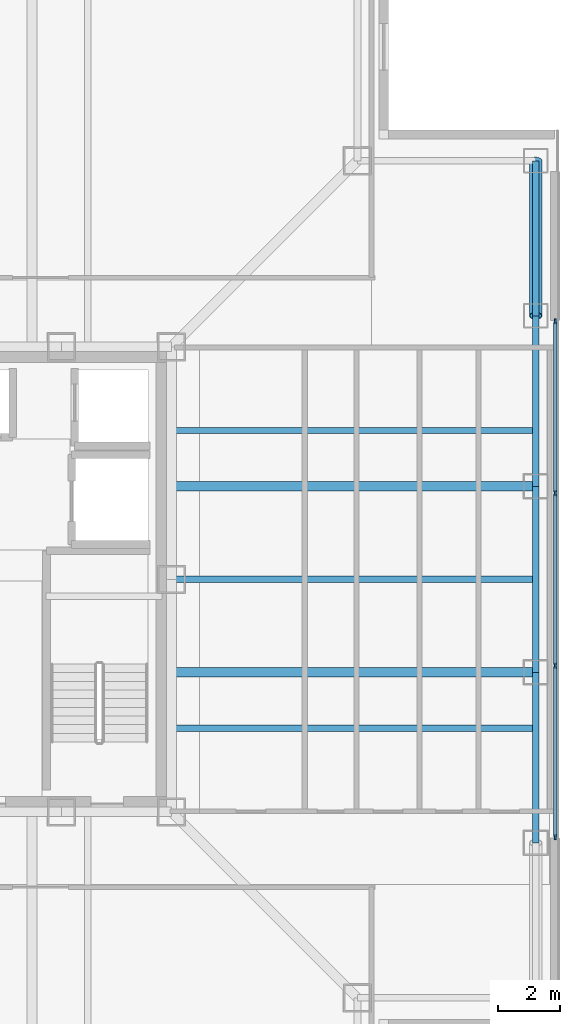
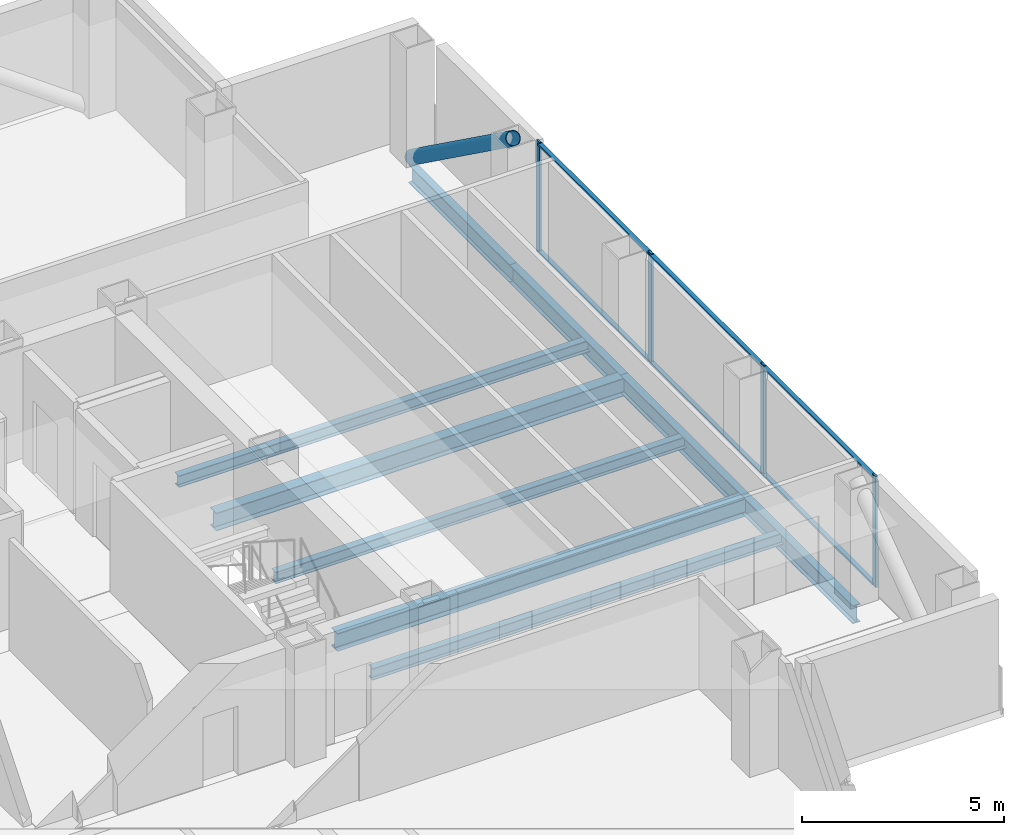
# One storey, part 6 of 16: 11 members, 9 beams, 1 element without a shape of its own.
"""IFC4 building model written with IfcOpenShell, lengths in metres."""

import ifcopenshell
import ifcopenshell.guid

model = None  # the IFC model being written
_history = None  # IfcOwnerHistory: only IFC2X3 demands one
_inside = {}  # id of a spatial element -> (the spatial element, [elements in it])
_under = {}  # id of a project, library or spatial element -> (it, [spatial elements below it])
_declared = {}  # id of a project -> (the project, [libraries it declares])
_typed = {}  # id of a type object -> (the type object, [elements of that type])
_made_of = {}  # id of a material, layer set ... -> (it, [elements and type objects made of it])


def new_model(schema):
    """Start an empty IFC model of exactly this schema.

    Asked for "IFC4X3", IfcOpenShell would pick the latest addendum, in which some entities
    have other attributes; the version numbers below select the first issue.
    IFC2X3 requires an IfcOwnerHistory on every rooted entity: one is made here for all.
    """
    global model, _history
    if schema == "IFC4X3":
        model = ifcopenshell.file(schema_version=(4, 3, 0, 0))
    else:
        model = ifcopenshell.file(schema=schema)
    _inside.clear()
    _under.clear()
    _declared.clear()
    _typed.clear()
    _made_of.clear()
    _history = None
    if model.schema == "IFC2X3":
        org = make("IfcOrganization", Name="unknown")
        user = make(
            "IfcPersonAndOrganization",
            ThePerson=make("IfcPerson", FamilyName="unknown"),
            TheOrganization=org,
        )
        app = make(
            "IfcApplication",
            ApplicationDeveloper=org,
            Version="unknown",
            ApplicationFullName="unknown",
            ApplicationIdentifier="unknown",
        )
        _history = make(
            "IfcOwnerHistory",
            OwningUser=user,
            OwningApplication=app,
            ChangeAction="ADDED",
            CreationDate=0,
        )
    return model


def make(cls, **values):
    """One entity of the class cls with the attributes given. An attribute that is None is left unset."""
    return model.create_entity(
        cls, **{name: value for name, value in values.items() if value is not None}
    )


def rooted(cls, **values):
    """An entity with a GlobalId (a new one), such as an element, a storey or a relation."""
    return make(cls, GlobalId=ifcopenshell.guid.new(), OwnerHistory=_history, **values)


def si_unit(unit_type, name, prefix=None):
    """IfcSIUnit, for example si_unit("LENGTHUNIT", "METRE", prefix="MILLI")."""
    return make("IfcSIUnit", UnitType=unit_type, Prefix=prefix, Name=name)


def assignment(units):
    """IfcUnitAssignment: the units of a project."""
    return None if units is None else make("IfcUnitAssignment", Units=units)


def point(xyz):
    """IfcCartesianPoint."""
    return None if xyz is None else make("IfcCartesianPoint", Coordinates=xyz)


def direction(xyz):
    """IfcDirection."""
    return None if xyz is None else make("IfcDirection", DirectionRatios=xyz)


def frame(location, z_axis=None, x_axis=None):
    """IfcAxis2Placement3D, a coordinate frame: its origin and axes. An axis left out is left unset."""
    return make(
        "IfcAxis2Placement3D",
        Location=point(location),
        Axis=direction(z_axis),
        RefDirection=direction(x_axis),
    )


def frame_2d(location, x_axis=None):
    """IfcAxis2Placement2D, a coordinate frame in the plane: its origin and x axis."""
    return make(
        "IfcAxis2Placement2D", Location=point(location), RefDirection=direction(x_axis)
    )


def origin():
    """The frame at (0, 0, 0) with its axes left unset."""
    return frame((0.0, 0.0, 0.0))


def origin_2d():
    """The frame at (0, 0) in the plane with its x axis left unset."""
    return frame_2d((0.0, 0.0))


def place(relative_to, where):
    """IfcLocalPlacement: puts the frame where relative to a parent placement (None: the world)."""
    return make(
        "IfcLocalPlacement", PlacementRelTo=relative_to, RelativePlacement=where
    )


def context(
    kind, dimensions, precision=None, world=None, true_north=None, identifier=None
):
    """IfcGeometricRepresentationContext, for example the 3D "Model" context."""
    return make(
        "IfcGeometricRepresentationContext",
        ContextIdentifier=identifier,
        ContextType=kind,
        CoordinateSpaceDimension=dimensions,
        Precision=precision,
        WorldCoordinateSystem=world,
        TrueNorth=true_north,
    )


def subcontext(parent, identifier, kind, view, scale=None):
    """IfcGeometricRepresentationSubContext, for example "Body" below "Model"."""
    return make(
        "IfcGeometricRepresentationSubContext",
        ContextIdentifier=identifier,
        ContextType=kind,
        ParentContext=parent,
        TargetScale=scale,
        TargetView=view,
    )


def project(units=None, contexts=None):
    """IfcProject with its units and contexts."""
    return rooted(
        "IfcProject",
        Name="project",
        RepresentationContexts=contexts,
        UnitsInContext=assignment(units),
    )


def spatial(cls, under=None, at=None, **own):
    """A site, building, storey or space (cls), placed at a placement, below another one or the project."""
    s = rooted(cls, ObjectPlacement=at, **own)
    if under is not None:
        _under.setdefault(under.id(), (under, []))[1].append(s)
    return s


def profile(cls, at=None, kind="AREA", **sizes):
    """A parametric profile (cls). Its sizes go by their IFC names, for example OverallWidth=200.0."""
    return make(cls, ProfileType=kind, Position=at, **sizes)


def rectangle(**sizes):
    """IfcRectangleProfileDef."""
    return profile("IfcRectangleProfileDef", **sizes)


def hollow_circle(**sizes):
    """IfcCircleHollowProfileDef."""
    return profile("IfcCircleHollowProfileDef", **sizes)


def i_section(**sizes):
    """IfcIShapeProfileDef."""
    return profile("IfcIShapeProfileDef", **sizes)


def extrude(swept, where, along, depth):
    """IfcExtrudedAreaSolid: the profile swept, set in the frame where, extruded along a direction by depth."""
    return make(
        "IfcExtrudedAreaSolid",
        SweptArea=swept,
        Position=where,
        ExtrudedDirection=direction(along),
        Depth=depth,
    )


def shape(context_of_items, identifier, shape_type, items):
    """IfcShapeRepresentation: the items that make up one representation, for example the "Body"."""
    return make(
        "IfcShapeRepresentation",
        ContextOfItems=context_of_items,
        RepresentationIdentifier=identifier,
        RepresentationType=shape_type,
        Items=items,
    )


def material(Name=None, Category=None):
    """IfcMaterial."""
    return make("IfcMaterial", Name=Name, Category=Category)


def layer(
    of_material, thickness, ventilated=None, Name=None, Category=None, Priority=None
):
    """IfcMaterialLayer: one layer of a wall or slab, of a material (None: an air gap)."""
    return make(
        "IfcMaterialLayer",
        Material=of_material,
        LayerThickness=thickness,
        IsVentilated=ventilated,
        Name=Name,
        Category=Category,
        Priority=Priority,
    )


def layer_set(layers, Name=None):
    """IfcMaterialLayerSet."""
    return make("IfcMaterialLayerSet", MaterialLayers=layers, LayerSetName=Name)


def material_profile(
    of_material, cross_section, Name=None, Category=None, Priority=None
):
    """IfcMaterialProfile: a cross section and its material."""
    return make(
        "IfcMaterialProfile",
        Name=Name,
        Material=of_material,
        Profile=cross_section,
        Priority=Priority,
        Category=Category,
    )


def profile_set(profiles, Name=None, composite=None):
    """IfcMaterialProfileSet."""
    return make(
        "IfcMaterialProfileSet",
        Name=Name,
        MaterialProfiles=profiles,
        CompositeProfile=composite,
    )


def made_of(thing, what):
    """Note that an element or type object is made of a material, layer set ...; save() writes the relation."""
    if what is not None:
        _made_of.setdefault(what.id(), (what, []))[1].append(thing)
    return thing


def type_object(cls, material=None, **own):
    """A type object (cls), such as IfcWallType, which elements share."""
    return made_of(rooted(cls, **own), material)


def element(
    cls,
    number,
    at=None,
    inside=None,
    cuts=None,
    type_object=None,
    material=None,
    context=None,
    identifier="Body",
    shape_type=None,
    held_by="IfcProductDefinitionShape",
    body=None,
    shapes=None,
    **own,
):
    """One element of the class cls, such as IfcWall. Its Tag is "e" and its number.

    at: its placement. inside: the storey or other place that contains it. cuts: it is an
    opening in that element (IfcRelVoidsElement). A single representation is given by context,
    identifier, shape_type and body (its items); several are given by shapes. held_by: the class
    of the entity that holds the representations. save() writes the other relations.
    """
    e = rooted(cls, Tag="e%d" % number, ObjectPlacement=at, **own)
    if body is not None:
        shapes = [shape(context, identifier, shape_type, body)]
    if shapes is not None:
        e.Representation = make(held_by, Representations=shapes)
    if inside is not None:
        _inside.setdefault(inside.id(), (inside, []))[1].append(e)
    if cuts is not None:
        rooted(
            "IfcRelVoidsElement", RelatingBuildingElement=cuts, RelatedOpeningElement=e
        )
    if type_object is not None:
        _typed.setdefault(type_object.id(), (type_object, []))[1].append(e)
    return made_of(e, material)


def aggregate(whole, parts):
    """IfcRelAggregates: a whole, such as a stair, and the parts it consists of."""
    return rooted("IfcRelAggregates", RelatingObject=whole, RelatedObjects=parts)


def save(model, path):
    """Write the relations noted so far, then the file.

    IfcRelAggregates (storeys below a building ...), IfcRelContainedInSpatialStructure (elements
    in a storey), IfcRelDefinesByType, IfcRelAssociatesMaterial and IfcRelDeclares: one each for
    every whole, place, type object, material and project.
    """
    for whole, parts in _under.values():
        aggregate(whole, parts)
    for where, things in _inside.values():
        rooted(
            "IfcRelContainedInSpatialStructure",
            RelatedElements=things,
            RelatingStructure=where,
        )
    for kind, things in _typed.values():
        rooted("IfcRelDefinesByType", RelatedObjects=things, RelatingType=kind)
    for what, things in _made_of.values():
        rooted("IfcRelAssociatesMaterial", RelatedObjects=things, RelatingMaterial=what)
    for by, libraries in _declared.values():
        rooted("IfcRelDeclares", RelatingContext=by, RelatedDefinitions=libraries)
    model.write(path)


model = new_model("IFC4")

# Units and contexts
model_context = context("Model", 3, precision=1e-05, world=origin(), true_north=direction((0.0, 1.0)))
body_context = subcontext(model_context, "Body", "Model", "MODEL_VIEW")
ifc_project = project(units=[si_unit("LENGTHUNIT", "METRE"), si_unit("AREAUNIT", "SQUARE_METRE"), si_unit("VOLUMEUNIT", "CUBIC_METRE"), si_unit("PLANEANGLEUNIT", "RADIAN"), si_unit("MASSUNIT", "GRAM", prefix="KILO")], contexts=[model_context])

# Site, building, storey
site_placement = place(None, origin())
site = spatial("IfcSite", under=ifc_project, at=site_placement, CompositionType="ELEMENT")
building_placement = place(site_placement, origin())
building = spatial("IfcBuilding", under=site, at=building_placement, Name="Trevonay Congress Spire", CompositionType="ELEMENT")
storey_placement = place(building_placement, frame((0.0, 0.0, 202.199951171875)))
storey = spatial("IfcBuildingStorey", under=building, at=storey_placement, Name="L52", CompositionType="ELEMENT", Elevation=202.199951171875)

# Beams
ifc_material_1 = material(Name="Steel ASTM A572 Grade 50", Category="steel")
ifc_material_profile_1 = material_profile(ifc_material_1, i_section(OverallWidth=0.31201171875, OverallDepth=0.54296875, WebThickness=0.0126953125, FlangeThickness=0.020263671875, FilletRadius=0.014892578125, at=origin_2d()), Name="W530x150")
ifc_profile_set_1 = profile_set([ifc_material_profile_1], Name="Steel ASTM A572 Grade 50")
beam_type_1 = type_object("IfcBeamType", Name="BM-GIRD-W530X150", PredefinedType="BEAM", material=ifc_profile_set_1)
for number, where, z_axis, x_axis, name in (
    (1, (7.5, -3.0, -0.511474609375), (1.0, 0.0, 0.0), (0.0, 1.0, 0.0), "L52 structural beam BM-L52-GE-M"),
    (2, (7.5, 3.0, -0.511474609375), (1.0, 0.0, 0.0), (0.0, 1.0, 0.0), "L52 structural beam BM-L52-GE-P"),
):
    element("IfcBeam", number, at=place(storey_placement, frame(where, z_axis=z_axis, x_axis=x_axis)), inside=storey, type_object=beam_type_1, Name=name, PredefinedType="BEAM", context=body_context, shape_type="SweptSolid", body=[
        extrude(i_section(OverallWidth=0.31201171875, OverallDepth=0.54296875, WebThickness=0.0126953125, FlangeThickness=0.020263671875, FilletRadius=0.014892578125, at=origin_2d()), origin(), (0.0, 0.0, 1.0), 11.75),
    ])
ifc_material_profile_2 = material_profile(ifc_material_1, i_section(OverallWidth=0.2119140625, OverallDepth=0.5439453125, WebThickness=0.01318359375, FlangeThickness=0.021240234375, FilletRadius=0.014892578125, at=origin_2d()), Name="W530x123")
ifc_profile_set_2 = profile_set([ifc_material_profile_2], Name="Steel ASTM A572 Grade 50")
beam_type_2 = type_object("IfcBeamType", Name="BM-RING-W530X123", PredefinedType="BEAM", material=ifc_profile_set_2)
beam_1_placement = place(storey_placement, frame((19.25, -8.5, -0.511962890625), z_axis=(0.0, 1.0, 0.0), x_axis=(-1.0, 0.0, 0.0)))
element("IfcBeam", 3, at=beam_1_placement, inside=storey, type_object=beam_type_2, Name="L52 structural beam BM-L52-PE2", PredefinedType="BEAM", context=body_context, shape_type="SweptSolid", body=[
    extrude(i_section(OverallWidth=0.2119140625, OverallDepth=0.5439453125, WebThickness=0.01318359375, FlangeThickness=0.021240234375, FilletRadius=0.014892578125, at=origin_2d()), origin(), (0.0, 0.0, 1.0), 5.5),
])
beam_2_placement = place(storey_placement, frame((19.25, -3.0, -0.511962890625), z_axis=(0.0, 1.0, 0.0), x_axis=(-1.0, 0.0, 0.0)))
element("IfcBeam", 4, at=beam_2_placement, inside=storey, type_object=beam_type_2, Name="L52 structural beam BM-L52-PE3", PredefinedType="BEAM", context=body_context, shape_type="SweptSolid", body=[
    extrude(i_section(OverallWidth=0.2119140625, OverallDepth=0.5439453125, WebThickness=0.01318359375, FlangeThickness=0.021240234375, FilletRadius=0.014892578125, at=origin_2d()), origin(), (0.0, 0.0, 1.0), 6.0),
])
beam_3_placement = place(storey_placement, frame((19.25, 3.0, -0.511962890625), z_axis=(0.0, 1.0, 0.0), x_axis=(-1.0, 0.0, 0.0)))
element("IfcBeam", 5, at=beam_3_placement, inside=storey, type_object=beam_type_2, Name="L52 structural beam BM-L52-PE4", PredefinedType="BEAM", context=body_context, shape_type="SweptSolid", body=[
    extrude(i_section(OverallWidth=0.2119140625, OverallDepth=0.5439453125, WebThickness=0.01318359375, FlangeThickness=0.021240234375, FilletRadius=0.014892578125, at=origin_2d()), origin(), (0.0, 0.0, 1.0), 5.5),
])
beam_4_placement = place(storey_placement, frame((19.25, 8.5, -0.511962890625), z_axis=(0.0, 1.0, 0.0), x_axis=(-1.0, 0.0, 0.0)))
element("IfcBeam", 6, at=beam_4_placement, inside=storey, type_object=beam_type_2, Name="L52 structural beam BM-L52-PE5", PredefinedType="BEAM", context=body_context, shape_type="SweptSolid", body=[
    extrude(i_section(OverallWidth=0.2119140625, OverallDepth=0.5439453125, WebThickness=0.01318359375, FlangeThickness=0.021240234375, FilletRadius=0.014892578125, at=origin_2d()), origin(), (0.0, 0.0, 1.0), 5.0),
])

# Curtain wall, members
ifc_material_2 = material(Name="Pale Anodised Aluminium EN AW-6063-T6", Category="aluminium")
ifc_layer = layer(ifc_material_2, 0.169921875, Name="Pale Anodised Aluminium EN AW-6063-T6")
ifc_layer_set = layer_set([ifc_layer], Name="Pale Anodised Aluminium EN AW-6063-T6")
curtain_wall_type = type_object("IfcCurtainWallType", Name="CW-SYS04-CORP-PALE-METAL", PredefinedType="NOTDEFINED", material=ifc_layer_set)
curtain_wall_placement = place(storey_placement, origin())
curtain_wall = element("IfcCurtainWall", 7, at=curtain_wall_placement, inside=storey, type_object=curtain_wall_type, Name="L52 E unitised curtain wall", PredefinedType="NOTDEFINED")
ifc_material_profile_3 = material_profile(ifc_material_2, rectangle(XDim=0.06005859375, YDim=0.159912109375, at=origin_2d()), Name="CW-MULLION-160-ALUMINIUM")
ifc_profile_set_3 = profile_set([ifc_material_profile_3], Name="Pale Anodised Aluminium EN AW-6063-T6")
member_type_1 = type_object("IfcMemberType", Name="CW-MULLION-160-ALUMINIUM", PredefinedType="MULLION", material=ifc_profile_set_3)
member_1_placement = place(storey_placement, frame((19.8798828125, -8.320068359375, 0.0), z_axis=(0.0, 0.0, 1.0), x_axis=(-1.0, 0.0, 0.0)))
member_1 = element("IfcMember", 8, at=member_1_placement, type_object=member_type_1, Name="CW04 mullion 1", PredefinedType="MULLION", context=body_context, shape_type="SweptSolid", body=[
    extrude(rectangle(XDim=0.06005859375, YDim=0.159912109375, at=origin_2d()), origin(), (0.0, 0.0, 1.0), 3.360107421875),
])
member_2_placement = place(storey_placement, frame((19.8798828125, -2.783447265625, 0.0), z_axis=(0.0, 0.0, 1.0), x_axis=(-1.0, 0.0, 0.0)))
member_2 = element("IfcMember", 9, at=member_2_placement, type_object=member_type_1, Name="CW04 mullion 2", PredefinedType="MULLION", context=body_context, shape_type="SweptSolid", body=[
    extrude(rectangle(XDim=0.06005859375, YDim=0.159912109375, at=origin_2d()), origin(), (0.0, 0.0, 1.0), 3.360107421875),
])
member_3_placement = place(storey_placement, frame((19.8798828125, 2.783447265625, 0.0), z_axis=(0.0, 0.0, 1.0), x_axis=(-1.0, 0.0, 0.0)))
member_3 = element("IfcMember", 10, at=member_3_placement, type_object=member_type_1, Name="CW04 mullion 3", PredefinedType="MULLION", context=body_context, shape_type="SweptSolid", body=[
    extrude(rectangle(XDim=0.06005859375, YDim=0.159912109375, at=origin_2d()), origin(), (0.0, 0.0, 1.0), 3.360107421875),
])
member_4_placement = place(storey_placement, frame((19.8798828125, 8.320068359375, 0.0), z_axis=(0.0, 0.0, 1.0), x_axis=(-1.0, 0.0, 0.0)))
member_4 = element("IfcMember", 11, at=member_4_placement, type_object=member_type_1, Name="CW04 mullion 4", PredefinedType="MULLION", context=body_context, shape_type="SweptSolid", body=[
    extrude(rectangle(XDim=0.06005859375, YDim=0.159912109375, at=origin_2d()), origin(), (0.0, 0.0, 1.0), 3.360107421875),
])
ifc_material_profile_4 = material_profile(ifc_material_2, rectangle(XDim=0.1201171875, YDim=0.06005859375, at=origin_2d()), Name="CW-TRANSOM-120-ALUMINIUM")
ifc_profile_set_4 = profile_set([ifc_material_profile_4], Name="Pale Anodised Aluminium EN AW-6063-T6")
member_type_2 = type_object("IfcMemberType", Name="CW-TRANSOM-120-ALUMINIUM", PredefinedType="USERDEFINED", material=ifc_profile_set_4)
member_5_placement = place(storey_placement, frame((19.8798828125, -8.2900390625, 0.06005859375), z_axis=(0.0, 1.0, 0.0), x_axis=(-1.0, 0.0, 0.0)))
member_5 = element("IfcMember", 12, at=member_5_placement, type_object=member_type_2, Name="CW04 transom 1.1", ObjectType="TRANSOM", PredefinedType="USERDEFINED", context=body_context, shape_type="SweptSolid", body=[
    extrude(rectangle(XDim=0.1201171875, YDim=0.06005859375, at=origin_2d()), origin(), (0.0, 0.0, 1.0), 5.476806640625),
])
member_6_placement = place(storey_placement, frame((19.8798828125, -8.2900390625, 3.300048828125), z_axis=(0.0, 1.0, 0.0), x_axis=(-1.0, 0.0, 0.0)))
member_6 = element("IfcMember", 13, at=member_6_placement, type_object=member_type_2, Name="CW04 transom 1.2", ObjectType="TRANSOM", PredefinedType="USERDEFINED", context=body_context, shape_type="SweptSolid", body=[
    extrude(rectangle(XDim=0.1201171875, YDim=0.06005859375, at=origin_2d()), origin(), (0.0, 0.0, 1.0), 5.476806640625),
])
member_7_placement = place(storey_placement, frame((19.8798828125, -2.75341796875, 0.06005859375), z_axis=(0.0, 1.0, 0.0), x_axis=(-1.0, 0.0, 0.0)))
member_7 = element("IfcMember", 14, at=member_7_placement, type_object=member_type_2, Name="CW04 transom 2.1", ObjectType="TRANSOM", PredefinedType="USERDEFINED", context=body_context, shape_type="SweptSolid", body=[
    extrude(rectangle(XDim=0.1201171875, YDim=0.06005859375, at=origin_2d()), origin(), (0.0, 0.0, 1.0), 5.5068359375),
])
member_8_placement = place(storey_placement, frame((19.8798828125, -2.75341796875, 3.300048828125), z_axis=(0.0, 1.0, 0.0), x_axis=(-1.0, 0.0, 0.0)))
member_8 = element("IfcMember", 15, at=member_8_placement, type_object=member_type_2, Name="CW04 transom 2.2", ObjectType="TRANSOM", PredefinedType="USERDEFINED", context=body_context, shape_type="SweptSolid", body=[
    extrude(rectangle(XDim=0.1201171875, YDim=0.06005859375, at=origin_2d()), origin(), (0.0, 0.0, 1.0), 5.5068359375),
])
member_9_placement = place(storey_placement, frame((19.8798828125, 2.813232421875, 0.06005859375), z_axis=(0.0, 1.0, 0.0), x_axis=(-1.0, 0.0, 0.0)))
member_9 = element("IfcMember", 16, at=member_9_placement, type_object=member_type_2, Name="CW04 transom 3.1", ObjectType="TRANSOM", PredefinedType="USERDEFINED", context=body_context, shape_type="SweptSolid", body=[
    extrude(rectangle(XDim=0.1201171875, YDim=0.06005859375, at=origin_2d()), origin(), (0.0, 0.0, 1.0), 5.476806640625),
])
member_10_placement = place(storey_placement, frame((19.8798828125, 2.813232421875, 3.300048828125), z_axis=(0.0, 1.0, 0.0), x_axis=(-1.0, 0.0, 0.0)))
member_10 = element("IfcMember", 17, at=member_10_placement, type_object=member_type_2, Name="CW04 transom 3.2", ObjectType="TRANSOM", PredefinedType="USERDEFINED", context=body_context, shape_type="SweptSolid", body=[
    extrude(rectangle(XDim=0.1201171875, YDim=0.06005859375, at=origin_2d()), origin(), (0.0, 0.0, 1.0), 5.476806640625),
])
aggregate(curtain_wall, [member_1, member_2, member_3, member_4, member_5, member_6, member_7, member_8, member_9, member_10])

# Beams
ifc_material_profile_5 = material_profile(ifc_material_1, i_section(OverallWidth=0.205078125, OverallDepth=0.35400390625, WebThickness=0.009521484375, FlangeThickness=0.016845703125, FilletRadius=0.011962890625, at=origin_2d()), Name="W360x79")
ifc_profile_set_5 = profile_set([ifc_material_profile_5], Name="Steel ASTM A572 Grade 50")
beam_type_3 = type_object("IfcBeamType", Name="JS-COMP-W360X79", PredefinedType="JOIST", material=ifc_profile_set_5)
for number, where, z_axis, x_axis, name in (
    (18, (7.5, -4.800048828125, -0.4169921875), (1.0, 0.0, 0.0), (0.0, 1.0, 0.0), "L52 structural beam JS-L52-EW-E1"),
    (19, (7.5, 0.0, -0.4169921875), (1.0, 0.0, 0.0), (0.0, 1.0, 0.0), "L52 structural beam JS-L52-EW-E2"),
    (20, (7.5, 4.800048828125, -0.4169921875), (1.0, 0.0, 0.0), (0.0, 1.0, 0.0), "L52 structural beam JS-L52-EW-E3"),
):
    element("IfcBeam", number, at=place(storey_placement, frame(where, z_axis=z_axis, x_axis=x_axis)), inside=storey, type_object=beam_type_3, Name=name, PredefinedType="JOIST", context=body_context, shape_type="SweptSolid", body=[
        extrude(i_section(OverallWidth=0.205078125, OverallDepth=0.35400390625, WebThickness=0.009521484375, FlangeThickness=0.016845703125, FilletRadius=0.011962890625, at=origin_2d()), origin(), (0.0, 0.0, 1.0), 11.75),
    ])

# Member
ifc_material_3 = material(Name="Steel ASTM A500 Grade C", Category="steel")
ifc_material_profile_6 = material_profile(ifc_material_3, hollow_circle(Radius=0.203125, WallThickness=0.02001953125, at=origin_2d()), Name="CHS 406.4x20")
ifc_profile_set_6 = profile_set([ifc_material_profile_6], Name="Steel ASTM A500 Grade C")
member_type_3 = type_object("IfcMemberType", Name="MBR-TUBE-CHS406", PredefinedType="BRACE", material=ifc_profile_set_6)
member_11_placement = place(storey_placement, frame((19.25, 13.5, -0.050048828125), z_axis=(0.0, -0.811526825515, 0.584315164504), x_axis=(1.0, 0.0, 0.0)))
element("IfcMember", 21, at=member_11_placement, inside=storey, type_object=member_type_3, Name="L52 perimeter braced-tube diagonal E4", PredefinedType="BRACE", context=body_context, shape_type="SweptSolid", body=[
    extrude(hollow_circle(Radius=0.203125, WallThickness=0.02001953125, at=origin_2d()), origin(), (0.0, 0.0, 1.0), 6.1611328125),
])

save(model, "model.ifc")
